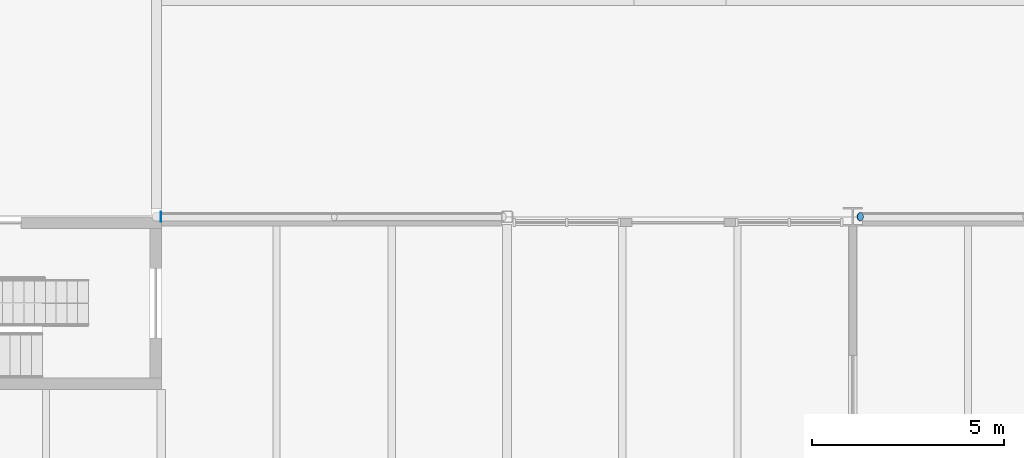
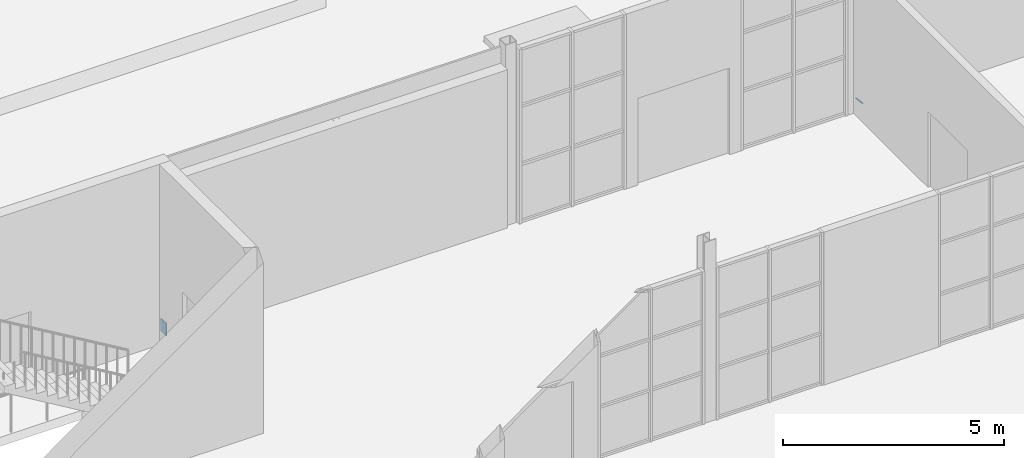
# One storey, part 46 of 63: 2 discrete accessories.
"""IFC4 building model written with IfcOpenShell, lengths in metres."""

import ifcopenshell
import ifcopenshell.guid

model = None  # the IFC model being written
_history = None  # IfcOwnerHistory: only IFC2X3 demands one
_inside = {}  # id of a spatial element -> (the spatial element, [elements in it])
_under = {}  # id of a project, library or spatial element -> (it, [spatial elements below it])
_declared = {}  # id of a project -> (the project, [libraries it declares])
_typed = {}  # id of a type object -> (the type object, [elements of that type])
_made_of = {}  # id of a material, layer set ... -> (it, [elements and type objects made of it])


def new_model(schema):
    """Start an empty IFC model of exactly this schema.

    Asked for "IFC4X3", IfcOpenShell would pick the latest addendum, in which some entities
    have other attributes; the version numbers below select the first issue.
    IFC2X3 requires an IfcOwnerHistory on every rooted entity: one is made here for all.
    """
    global model, _history
    if schema == "IFC4X3":
        model = ifcopenshell.file(schema_version=(4, 3, 0, 0))
    else:
        model = ifcopenshell.file(schema=schema)
    _inside.clear()
    _under.clear()
    _declared.clear()
    _typed.clear()
    _made_of.clear()
    _history = None
    if model.schema == "IFC2X3":
        org = make("IfcOrganization", Name="unknown")
        user = make(
            "IfcPersonAndOrganization",
            ThePerson=make("IfcPerson", FamilyName="unknown"),
            TheOrganization=org,
        )
        app = make(
            "IfcApplication",
            ApplicationDeveloper=org,
            Version="unknown",
            ApplicationFullName="unknown",
            ApplicationIdentifier="unknown",
        )
        _history = make(
            "IfcOwnerHistory",
            OwningUser=user,
            OwningApplication=app,
            ChangeAction="ADDED",
            CreationDate=0,
        )
    return model


def make(cls, **values):
    """One entity of the class cls with the attributes given. An attribute that is None is left unset."""
    return model.create_entity(
        cls, **{name: value for name, value in values.items() if value is not None}
    )


def rooted(cls, **values):
    """An entity with a GlobalId (a new one), such as an element, a storey or a relation."""
    return make(cls, GlobalId=ifcopenshell.guid.new(), OwnerHistory=_history, **values)


def si_unit(unit_type, name, prefix=None):
    """IfcSIUnit, for example si_unit("LENGTHUNIT", "METRE", prefix="MILLI")."""
    return make("IfcSIUnit", UnitType=unit_type, Prefix=prefix, Name=name)


def assignment(units):
    """IfcUnitAssignment: the units of a project."""
    return None if units is None else make("IfcUnitAssignment", Units=units)


def point(xyz):
    """IfcCartesianPoint."""
    return None if xyz is None else make("IfcCartesianPoint", Coordinates=xyz)


def direction(xyz):
    """IfcDirection."""
    return None if xyz is None else make("IfcDirection", DirectionRatios=xyz)


def frame(location, z_axis=None, x_axis=None):
    """IfcAxis2Placement3D, a coordinate frame: its origin and axes. An axis left out is left unset."""
    return make(
        "IfcAxis2Placement3D",
        Location=point(location),
        Axis=direction(z_axis),
        RefDirection=direction(x_axis),
    )


def frame_2d(location, x_axis=None):
    """IfcAxis2Placement2D, a coordinate frame in the plane: its origin and x axis."""
    return make(
        "IfcAxis2Placement2D", Location=point(location), RefDirection=direction(x_axis)
    )


def origin():
    """The frame at (0, 0, 0) with its axes left unset."""
    return frame((0.0, 0.0, 0.0))


def origin_2d():
    """The frame at (0, 0) in the plane with its x axis left unset."""
    return frame_2d((0.0, 0.0))


def place(relative_to, where):
    """IfcLocalPlacement: puts the frame where relative to a parent placement (None: the world)."""
    return make(
        "IfcLocalPlacement", PlacementRelTo=relative_to, RelativePlacement=where
    )


def context(
    kind, dimensions, precision=None, world=None, true_north=None, identifier=None
):
    """IfcGeometricRepresentationContext, for example the 3D "Model" context."""
    return make(
        "IfcGeometricRepresentationContext",
        ContextIdentifier=identifier,
        ContextType=kind,
        CoordinateSpaceDimension=dimensions,
        Precision=precision,
        WorldCoordinateSystem=world,
        TrueNorth=true_north,
    )


def subcontext(parent, identifier, kind, view, scale=None):
    """IfcGeometricRepresentationSubContext, for example "Body" below "Model"."""
    return make(
        "IfcGeometricRepresentationSubContext",
        ContextIdentifier=identifier,
        ContextType=kind,
        ParentContext=parent,
        TargetScale=scale,
        TargetView=view,
    )


def project(units=None, contexts=None):
    """IfcProject with its units and contexts."""
    return rooted(
        "IfcProject",
        Name="project",
        RepresentationContexts=contexts,
        UnitsInContext=assignment(units),
    )


def spatial(cls, under=None, at=None, **own):
    """A site, building, storey or space (cls), placed at a placement, below another one or the project."""
    s = rooted(cls, ObjectPlacement=at, **own)
    if under is not None:
        _under.setdefault(under.id(), (under, []))[1].append(s)
    return s


def profile(cls, at=None, kind="AREA", **sizes):
    """A parametric profile (cls). Its sizes go by their IFC names, for example OverallWidth=200.0."""
    return make(cls, ProfileType=kind, Position=at, **sizes)


def rectangle(**sizes):
    """IfcRectangleProfileDef."""
    return profile("IfcRectangleProfileDef", **sizes)


def circle(**sizes):
    """IfcCircleProfileDef."""
    return profile("IfcCircleProfileDef", **sizes)


def extrude(swept, where, along, depth):
    """IfcExtrudedAreaSolid: the profile swept, set in the frame where, extruded along a direction by depth."""
    return make(
        "IfcExtrudedAreaSolid",
        SweptArea=swept,
        Position=where,
        ExtrudedDirection=direction(along),
        Depth=depth,
    )


def shape(context_of_items, identifier, shape_type, items):
    """IfcShapeRepresentation: the items that make up one representation, for example the "Body"."""
    return make(
        "IfcShapeRepresentation",
        ContextOfItems=context_of_items,
        RepresentationIdentifier=identifier,
        RepresentationType=shape_type,
        Items=items,
    )


def made_of(thing, what):
    """Note that an element or type object is made of a material, layer set ...; save() writes the relation."""
    if what is not None:
        _made_of.setdefault(what.id(), (what, []))[1].append(thing)
    return thing


def element(
    cls,
    number,
    at=None,
    inside=None,
    cuts=None,
    type_object=None,
    material=None,
    context=None,
    identifier="Body",
    shape_type=None,
    held_by="IfcProductDefinitionShape",
    body=None,
    shapes=None,
    **own,
):
    """One element of the class cls, such as IfcWall. Its Tag is "e" and its number.

    at: its placement. inside: the storey or other place that contains it. cuts: it is an
    opening in that element (IfcRelVoidsElement). A single representation is given by context,
    identifier, shape_type and body (its items); several are given by shapes. held_by: the class
    of the entity that holds the representations. save() writes the other relations.
    """
    e = rooted(cls, Tag="e%d" % number, ObjectPlacement=at, **own)
    if body is not None:
        shapes = [shape(context, identifier, shape_type, body)]
    if shapes is not None:
        e.Representation = make(held_by, Representations=shapes)
    if inside is not None:
        _inside.setdefault(inside.id(), (inside, []))[1].append(e)
    if cuts is not None:
        rooted(
            "IfcRelVoidsElement", RelatingBuildingElement=cuts, RelatedOpeningElement=e
        )
    if type_object is not None:
        _typed.setdefault(type_object.id(), (type_object, []))[1].append(e)
    return made_of(e, material)


def aggregate(whole, parts):
    """IfcRelAggregates: a whole, such as a stair, and the parts it consists of."""
    return rooted("IfcRelAggregates", RelatingObject=whole, RelatedObjects=parts)


def save(model, path):
    """Write the relations noted so far, then the file.

    IfcRelAggregates (storeys below a building ...), IfcRelContainedInSpatialStructure (elements
    in a storey), IfcRelDefinesByType, IfcRelAssociatesMaterial and IfcRelDeclares: one each for
    every whole, place, type object, material and project.
    """
    for whole, parts in _under.values():
        aggregate(whole, parts)
    for where, things in _inside.values():
        rooted(
            "IfcRelContainedInSpatialStructure",
            RelatedElements=things,
            RelatingStructure=where,
        )
    for kind, things in _typed.values():
        rooted("IfcRelDefinesByType", RelatedObjects=things, RelatingType=kind)
    for what, things in _made_of.values():
        rooted("IfcRelAssociatesMaterial", RelatedObjects=things, RelatingMaterial=what)
    for by, libraries in _declared.values():
        rooted("IfcRelDeclares", RelatingContext=by, RelatedDefinitions=libraries)
    model.write(path)


model = new_model("IFC4")

# Units and contexts
model_context = context("Model", 3, precision=1e-05, world=origin(), true_north=direction((0.0, 1.0)))
body_context = subcontext(model_context, "Body", "Model", "MODEL_VIEW")
ifc_project = project(units=[si_unit("LENGTHUNIT", "METRE"), si_unit("AREAUNIT", "SQUARE_METRE"), si_unit("VOLUMEUNIT", "CUBIC_METRE"), si_unit("PLANEANGLEUNIT", "RADIAN"), si_unit("MASSUNIT", "GRAM", prefix="KILO")], contexts=[model_context])

# Site, building, storey
site_placement = place(None, origin())
site = spatial("IfcSite", under=ifc_project, at=site_placement, CompositionType="ELEMENT")
building_placement = place(site_placement, origin())
building = spatial("IfcBuilding", under=site, at=building_placement, Name="Halyard Row Museum", CompositionType="ELEMENT")
storey_placement = place(building_placement, origin())
storey = spatial("IfcBuildingStorey", under=building, at=storey_placement, Name="L00", CompositionType="ELEMENT", Elevation=0.0)

# Discrete accessories
discrete_accessory_1_placement = place(storey_placement, frame((36.0, 45.0, 0.215087890625), z_axis=(-1.0, 0.0, 0.0), x_axis=(0.0, -1.0, 0.0)))
element("IfcDiscreteAccessory", 1, at=discrete_accessory_1_placement, inside=storey, Name="Brace L00 Y45 36-45 A cast-in plate", PredefinedType="ANCHORPLATE", context=body_context, shape_type="SweptSolid", body=[
    extrude(rectangle(XDim=0.25, YDim=0.35009765625, at=origin_2d()), origin(), (0.0, 0.0, 1.0), 0.02001953125),
])
discrete_accessory_2_placement = place(storey_placement, frame((54.199951171875, 45.0, 0.109619140625), z_axis=(-0.713228571152, 0.0, -0.700931526822), x_axis=(0.0, -1.0, 0.0)))
element("IfcDiscreteAccessory", 2, at=discrete_accessory_2_placement, inside=storey, Name="Brace L00 Y45 54-63 A foot end plate", PredefinedType="BRACKET", context=body_context, shape_type="SweptSolid", body=[
    extrude(circle(Radius=0.109619140625, at=origin_2d()), origin(), (0.0, 0.0, 1.0), 0.019775390625),
])

save(model, "model.ifc")
